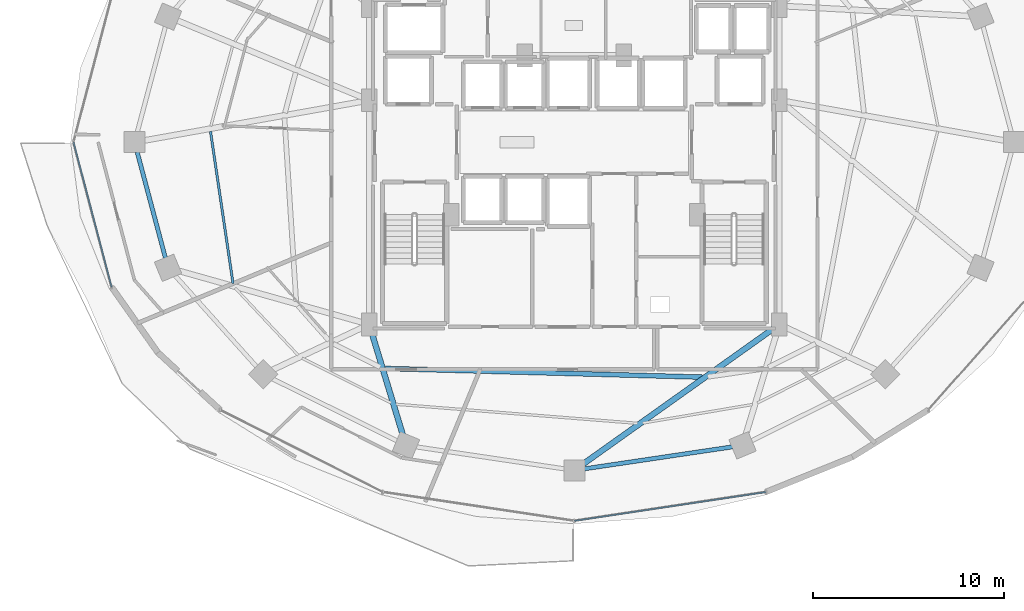
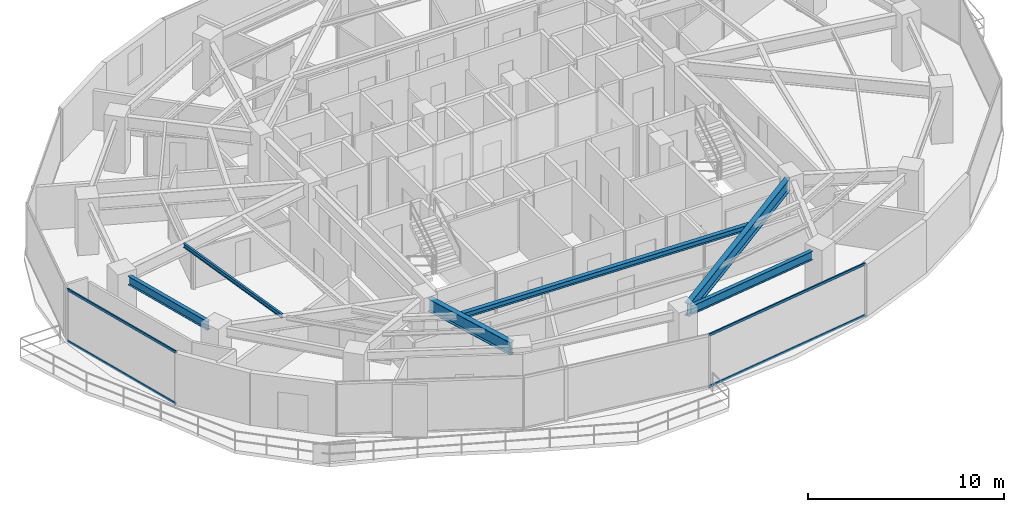
# One storey, part 6 of 30: 6 beams, 4 members, 2 elements without a shape of their own.
"""IFC4 building model written with IfcOpenShell, lengths in metres."""

from ifc_helpers import new_model, si_unit, direction, frame, origin, origin_2d, place, context, subcontext, project, spatial, hollow_rectangle, i_section, extrude, material, material_profile, profile_set, type_object, element, aggregate, save


model = new_model("IFC4")

# Units and contexts
model_context = context("Model", 3, precision=1e-05, world=origin(), true_north=direction((0.0, 1.0)))
body_context = subcontext(model_context, "Body", "Model", "MODEL_VIEW")
ifc_project = project(units=[si_unit("LENGTHUNIT", "METRE"), si_unit("AREAUNIT", "SQUARE_METRE"), si_unit("VOLUMEUNIT", "CUBIC_METRE"), si_unit("PLANEANGLEUNIT", "RADIAN"), si_unit("MASSUNIT", "GRAM", prefix="KILO")], contexts=[model_context])

# Site, building, storey
site_placement = place(None, origin())
site = spatial("IfcSite", under=ifc_project, at=site_placement, CompositionType="ELEMENT")
building_placement = place(site_placement, origin())
building = spatial("IfcBuilding", under=site, at=building_placement, Name="Vorneva Point Tower", CompositionType="ELEMENT")
storey_placement = place(building_placement, frame((0.0, 0.0, 106.800048828125)))
storey = spatial("IfcBuildingStorey", under=building, at=storey_placement, Name="L28", CompositionType="ELEMENT", Elevation=106.800048828125)

# Beams
ifc_material_1 = material(Name="Steel S355", Category="steel")
ifc_material_profile_1 = material_profile(ifc_material_1, i_section(OverallWidth=0.300048828125, OverallDepth=0.7880859375, WebThickness=0.014404296875, FlangeThickness=0.02197265625, at=origin_2d()), Name="80Sh1")
ifc_profile_set_1 = profile_set([ifc_material_profile_1], Name="Steel S355")
beam_type_1 = type_object("IfcBeamType", Name="BM-GRD-80Sh1", PredefinedType="USERDEFINED", material=ifc_profile_set_1)
beam_1_placement = place(storey_placement, frame((29.0224609375, 10.6240234375, 2.845947265625), z_axis=(-0.291034888253, 0.956712440506, 0.0), x_axis=(-0.956712440506, -0.291034888253, 0.0)))
element("IfcBeam", 1, at=beam_1_placement, inside=storey, type_object=beam_type_1, Name="L28 Radial Primary Girder 12", ObjectType="GIRDER", PredefinedType="USERDEFINED", context=body_context, shape_type="SweptSolid", body=[
    extrude(i_section(OverallWidth=0.300048828125, OverallDepth=0.7880859375, WebThickness=0.014404296875, FlangeThickness=0.02197265625, at=origin_2d()), origin(), (0.0, 0.0, 1.0), 5.74951171875),
])
beam_2_placement = place(storey_placement, frame((38.438232421875, 9.11181640625, 2.845947265625), z_axis=(0.814750142675, 0.5798122153, 0.0), x_axis=(-0.5798122153, 0.814750142675, 0.0)))
element("IfcBeam", 2, at=beam_2_placement, inside=storey, type_object=beam_type_1, Name="L28 Radial Primary Girder 13", ObjectType="GIRDER", PredefinedType="USERDEFINED", context=body_context, shape_type="SweptSolid", body=[
    extrude(i_section(OverallWidth=0.300048828125, OverallDepth=0.7880859375, WebThickness=0.014404296875, FlangeThickness=0.02197265625, at=origin_2d()), origin(), (0.0, 0.0, 1.0), 12.316162109375),
])
ifc_material_profile_2 = material_profile(ifc_material_1, i_section(OverallWidth=0.1240234375, OverallDepth=0.248046875, WebThickness=0.0048828125, FlangeThickness=0.008056640625, at=origin_2d()), Name="25B1")
ifc_profile_set_2 = profile_set([ifc_material_profile_2], Name="Steel S355")
beam_type_2 = type_object("IfcBeamType", Name="BM-JST-25B1", PredefinedType="JOIST", material=ifc_profile_set_2)
beam_3_placement = place(storey_placement, frame((18.930419921875, 26.57177734375, 3.115966796875), z_axis=(0.146468614571, -0.989215317788, 0.0), x_axis=(0.989215317788, 0.146468614571, 0.0)))
element("IfcBeam", 3, at=beam_3_placement, inside=storey, type_object=beam_type_2, Name="L28 Secondary Floor Beam 1.09", PredefinedType="JOIST", context=body_context, shape_type="SweptSolid", body=[
    extrude(i_section(OverallWidth=0.1240234375, OverallDepth=0.248046875, WebThickness=0.0048828125, FlangeThickness=0.008056640625, at=origin_2d()), origin(), (0.0, 0.0, 1.0), 8.069091796875),
])
ifc_material_profile_3 = material_profile(ifc_material_1, i_section(OverallWidth=0.2490234375, OverallDepth=0.333984375, WebThickness=0.008056640625, FlangeThickness=0.010986328125, at=origin_2d()), Name="35Sh1")
ifc_profile_set_3 = profile_set([ifc_material_profile_3], Name="Steel S355")
beam_type_3 = type_object("IfcBeamType", Name="BM-SEC-35Sh1", PredefinedType="BEAM", material=ifc_profile_set_3)
beam_4_placement = place(storey_placement, frame((28.08935546875, 14.140625, 3.072998046875), z_axis=(0.999626340984, -0.02733456441, 0.0), x_axis=(0.02733456441, 0.999626340984, 0.0)))
element("IfcBeam", 4, at=beam_4_placement, inside=storey, type_object=beam_type_3, Name="L28 Secondary Floor Beam 2.12", PredefinedType="BEAM", context=body_context, shape_type="SweptSolid", body=[
    extrude(i_section(OverallWidth=0.2490234375, OverallDepth=0.333984375, WebThickness=0.008056640625, FlangeThickness=0.010986328125, at=origin_2d()), origin(), (0.0, 0.0, 1.0), 16.639404296875),
])
ifc_material_profile_4 = material_profile(ifc_material_1, i_section(OverallWidth=0.219970703125, OverallDepth=0.54296875, WebThickness=0.009521484375, FlangeThickness=0.013427734375, at=origin_2d()), Name="55B1")
ifc_profile_set_4 = profile_set([ifc_material_profile_4], Name="Steel S355")
beam_type_4 = type_object("IfcBeamType", Name="BM-SPN-55B1", PredefinedType="SPANDREL", material=ifc_profile_set_4)
beam_5_placement = place(storey_placement, frame((15.087890625, 25.483154296875, 2.968505859375), z_axis=(0.257572674071, -0.966258928845, 0.0), x_axis=(0.966258928845, 0.257572674071, 0.0)))
element("IfcBeam", 5, at=beam_5_placement, inside=storey, type_object=beam_type_4, Name="L28 Perimeter Spandrel Ring Beam 09", PredefinedType="SPANDREL", context=body_context, shape_type="SweptSolid", body=[
    extrude(i_section(OverallWidth=0.219970703125, OverallDepth=0.54296875, WebThickness=0.009521484375, FlangeThickness=0.013427734375, at=origin_2d()), origin(), (0.0, 0.0, 1.0), 5.7421875),
])
beam_6_placement = place(storey_placement, frame((38.529296875, 8.878662109375, 2.968505859375), z_axis=(0.989164507783, 0.146811363806, 0.0), x_axis=(-0.146811363806, 0.989164507783, 0.0)))
element("IfcBeam", 6, at=beam_6_placement, inside=storey, type_object=beam_type_4, Name="L28 Perimeter Spandrel Ring Beam 13", PredefinedType="SPANDREL", context=body_context, shape_type="SweptSolid", body=[
    extrude(i_section(OverallWidth=0.219970703125, OverallDepth=0.54296875, WebThickness=0.009521484375, FlangeThickness=0.013427734375, at=origin_2d()), origin(), (0.0, 0.0, 1.0), 7.847412109375),
])

# Curtain wall, members
ifc_material_2 = material(Name="Pale anodised aluminium", Category="aluminium")
curtain_wall_type = type_object("IfcCurtainWallType", Name="CW-HTL-SYS", PredefinedType="NOTDEFINED", material=ifc_material_2)
curtain_wall_1_placement = place(storey_placement, origin())
curtain_wall_1 = element("IfcCurtainWall", 7, at=curtain_wall_1_placement, inside=storey, type_object=curtain_wall_type, Name="L28 Unitised Curtain Wall CW-L28-R03", PredefinedType="NOTDEFINED")
ifc_material_profile_5 = material_profile(ifc_material_2, hollow_rectangle(XDim=0.074951171875, YDim=0.14990234375, WallThickness=0.00390625, at=origin_2d()), Name="AL-TRN 150x75x4")
ifc_profile_set_5 = profile_set([ifc_material_profile_5], Name="Pale anodised aluminium")
member_type = type_object("IfcMemberType", Name="CW-TRN-150", PredefinedType="USERDEFINED", material=ifc_profile_set_5)
member_1_placement = place(storey_placement, frame((11.75, 26.0, 0.02001953125), z_axis=(0.254409150465, -0.967096677773, 0.0), x_axis=(0.967096677773, 0.254409150465, 0.0)))
member_1 = element("IfcMember", 8, at=member_1_placement, type_object=member_type, Name="CW-L28-R03 Transom 03.1", ObjectType="TRANSOM", PredefinedType="USERDEFINED", context=body_context, shape_type="SweptSolid", body=[
    extrude(hollow_rectangle(XDim=0.074951171875, YDim=0.14990234375, WallThickness=0.00390625, at=origin_2d()), origin(), (0.0, 0.0, 1.0), 7.854736328125),
])
member_2_placement = place(storey_placement, frame((11.75, 26.0, 3.219970703125), z_axis=(0.254409150465, -0.967096677773, 0.0), x_axis=(0.967096677773, 0.254409150465, 0.0)))
member_2 = element("IfcMember", 9, at=member_2_placement, type_object=member_type, Name="CW-L28-R03 Transom 03.2", ObjectType="TRANSOM", PredefinedType="USERDEFINED", context=body_context, shape_type="SweptSolid", body=[
    extrude(hollow_rectangle(XDim=0.074951171875, YDim=0.14990234375, WallThickness=0.00390625, at=origin_2d()), origin(), (0.0, 0.0, 1.0), 7.854736328125),
])
aggregate(curtain_wall_1, [member_1, member_2])

curtain_wall_2_placement = place(storey_placement, origin())
curtain_wall_2 = element("IfcCurtainWall", 10, at=curtain_wall_2_placement, inside=storey, type_object=curtain_wall_type, Name="L28 Unitised Curtain Wall CW-L28-R04", PredefinedType="NOTDEFINED")
member_3_placement = place(storey_placement, frame((38.0, 6.14990234375, 0.02001953125), z_axis=(0.988875982167, 0.148742367512, 0.0), x_axis=(-0.148742367512, 0.988875982167, 0.0)))
member_3 = element("IfcMember", 11, at=member_3_placement, type_object=member_type, Name="CW-L28-R04 Transom 03.1", ObjectType="TRANSOM", PredefinedType="USERDEFINED", context=body_context, shape_type="SweptSolid", body=[
    extrude(hollow_rectangle(XDim=0.074951171875, YDim=0.14990234375, WallThickness=0.00390625, at=origin_2d()), origin(), (0.0, 0.0, 1.0), 10.158447265625),
])
member_4_placement = place(storey_placement, frame((38.0, 6.14990234375, 3.219970703125), z_axis=(0.988875982167, 0.148742367512, 0.0), x_axis=(-0.148742367512, 0.988875982167, 0.0)))
member_4 = element("IfcMember", 12, at=member_4_placement, type_object=member_type, Name="CW-L28-R04 Transom 03.2", ObjectType="TRANSOM", PredefinedType="USERDEFINED", context=body_context, shape_type="SweptSolid", body=[
    extrude(hollow_rectangle(XDim=0.074951171875, YDim=0.14990234375, WallThickness=0.00390625, at=origin_2d()), origin(), (0.0, 0.0, 1.0), 10.158447265625),
])
aggregate(curtain_wall_2, [member_3, member_4])

save(model, "model.ifc")
